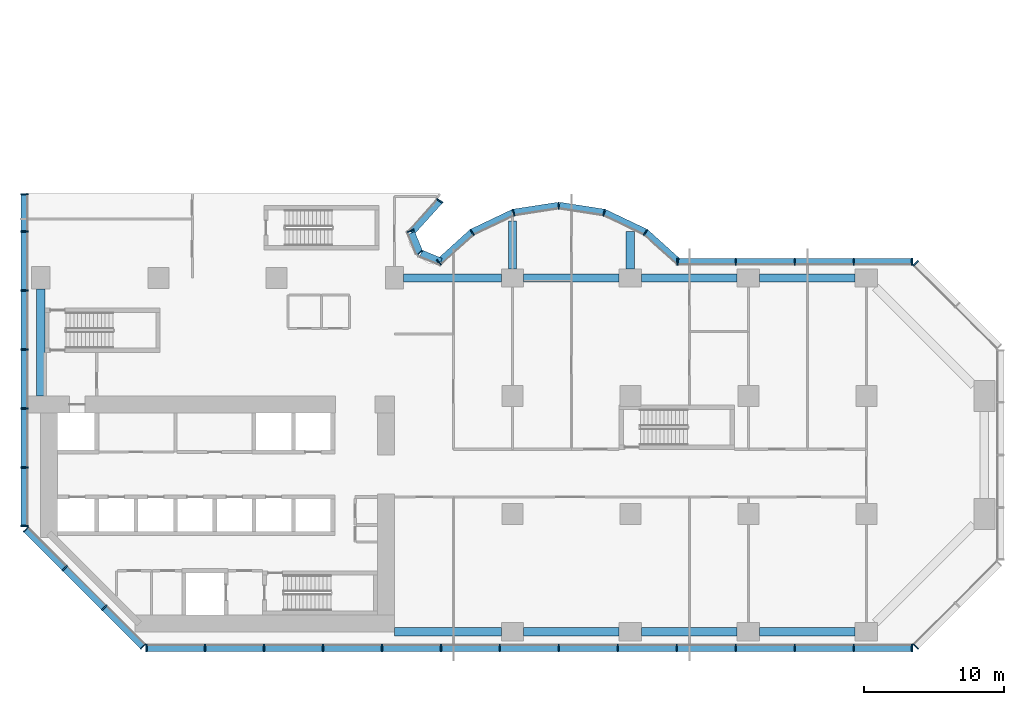
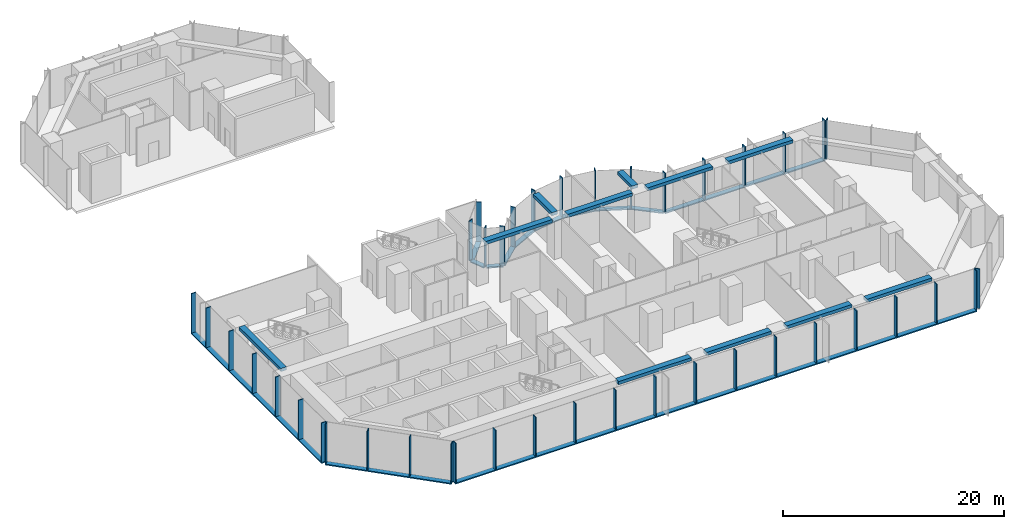
# One storey, part 2 of 13: 54 members, 11 beams, 9 elements without a shape of their own.
"""IFC4 building model written with IfcOpenShell, lengths in metres."""

from ifc_helpers import new_model, si_unit, direction, frame, origin, origin_2d, place, context, subcontext, project, spatial, rectangle, extrude, material, material_profile, profile_set, type_object, element, aggregate, save


model = new_model("IFC4")

# Units and contexts
model_context = context("Model", 3, precision=1e-05, world=origin(), true_north=direction((0.0, 1.0)))
body_context = subcontext(model_context, "Body", "Model", "MODEL_VIEW")
ifc_project = project(units=[si_unit("LENGTHUNIT", "METRE"), si_unit("AREAUNIT", "SQUARE_METRE"), si_unit("VOLUMEUNIT", "CUBIC_METRE"), si_unit("PLANEANGLEUNIT", "RADIAN"), si_unit("MASSUNIT", "GRAM", prefix="KILO")], contexts=[model_context])

# Site, building, storey
site_placement = place(None, origin())
site = spatial("IfcSite", under=ifc_project, at=site_placement, CompositionType="ELEMENT")
building_placement = place(site_placement, origin())
building = spatial("IfcBuilding", under=site, at=building_placement, Name="Brevane Broadcast Tower", CompositionType="ELEMENT")
storey_placement = place(building_placement, frame((0.0, 0.0, 32.0)))
storey = spatial("IfcBuildingStorey", under=building, at=storey_placement, Name="L05", CompositionType="ELEMENT", Elevation=32.0)

# Curtain wall, members
ifc_material_1 = material(Name="Aluminium 6063-T6 bronze anodised", Category="aluminium")
curtain_wall_type = type_object("IfcCurtainWallType", Name="CW-2 curtain wall", PredefinedType="NOTDEFINED", material=ifc_material_1)
curtain_wall_1_placement = place(storey_placement, origin())
curtain_wall_1 = element("IfcCurtainWall", 1, at=curtain_wall_1_placement, inside=storey, type_object=curtain_wall_type, Name="CW-2 podium base unit L05 south face", PredefinedType="NOTDEFINED")
ifc_material_profile_1 = material_profile(ifc_material_1, rectangle(XDim=0.5, YDim=0.090087890625, at=origin_2d()), Name="RECT 90x500")
ifc_profile_set_1 = profile_set([ifc_material_profile_1], Name="Aluminium 6063-T6 bronze anodised")
member_type_1 = type_object("IfcMemberType", Name="CW-2 mullion 90x500", PredefinedType="MULLION", material=ifc_profile_set_1)
member_1_placement = place(storey_placement, frame((7.544921875, -1.14990234375, -0.1298828125), z_axis=(0.0, 0.0, 1.0), x_axis=(0.0, 1.0, 0.0)))
member_1 = element("IfcMember", 2, at=member_1_placement, type_object=member_type_1, Name="CW-2 mullion", PredefinedType="MULLION", context=body_context, shape_type="SweptSolid", body=[
    extrude(rectangle(XDim=0.5, YDim=0.090087890625, at=origin_2d()), origin(), (0.0, 0.0, 1.0), 4.3798828125),
])
member_2_placement = place(storey_placement, frame((11.699951171875, -1.14990234375, -0.1298828125), z_axis=(0.0, 0.0, 1.0), x_axis=(0.0, 1.0, 0.0)))
member_2 = element("IfcMember", 3, at=member_2_placement, type_object=member_type_1, Name="CW-2 mullion", PredefinedType="MULLION", context=body_context, shape_type="SweptSolid", body=[
    extrude(rectangle(XDim=0.5, YDim=0.090087890625, at=origin_2d()), origin(), (0.0, 0.0, 1.0), 4.3798828125),
])
member_3_placement = place(storey_placement, frame((15.89990234375, -1.14990234375, -0.1298828125), z_axis=(0.0, 0.0, 1.0), x_axis=(0.0, 1.0, 0.0)))
member_3 = element("IfcMember", 4, at=member_3_placement, type_object=member_type_1, Name="CW-2 mullion", PredefinedType="MULLION", context=body_context, shape_type="SweptSolid", body=[
    extrude(rectangle(XDim=0.5, YDim=0.090087890625, at=origin_2d()), origin(), (0.0, 0.0, 1.0), 4.3798828125),
])
member_4_placement = place(storey_placement, frame((20.10009765625, -1.14990234375, -0.1298828125), z_axis=(0.0, 0.0, 1.0), x_axis=(0.0, 1.0, 0.0)))
member_4 = element("IfcMember", 5, at=member_4_placement, type_object=member_type_1, Name="CW-2 mullion", PredefinedType="MULLION", context=body_context, shape_type="SweptSolid", body=[
    extrude(rectangle(XDim=0.5, YDim=0.090087890625, at=origin_2d()), origin(), (0.0, 0.0, 1.0), 4.3798828125),
])
member_5_placement = place(storey_placement, frame((24.300048828125, -1.14990234375, -0.1298828125), z_axis=(0.0, 0.0, 1.0), x_axis=(0.0, 1.0, 0.0)))
member_5 = element("IfcMember", 6, at=member_5_placement, type_object=member_type_1, Name="CW-2 mullion", PredefinedType="MULLION", context=body_context, shape_type="SweptSolid", body=[
    extrude(rectangle(XDim=0.5, YDim=0.090087890625, at=origin_2d()), origin(), (0.0, 0.0, 1.0), 4.3798828125),
])
member_6_placement = place(storey_placement, frame((28.5, -1.14990234375, -0.1298828125), z_axis=(0.0, 0.0, 1.0), x_axis=(0.0, 1.0, 0.0)))
member_6 = element("IfcMember", 7, at=member_6_placement, type_object=member_type_1, Name="CW-2 mullion", PredefinedType="MULLION", context=body_context, shape_type="SweptSolid", body=[
    extrude(rectangle(XDim=0.5, YDim=0.090087890625, at=origin_2d()), origin(), (0.0, 0.0, 1.0), 4.3798828125),
])
member_7_placement = place(storey_placement, frame((32.699951171875, -1.14990234375, -0.1298828125), z_axis=(0.0, 0.0, 1.0), x_axis=(0.0, 1.0, 0.0)))
member_7 = element("IfcMember", 8, at=member_7_placement, type_object=member_type_1, Name="CW-2 mullion", PredefinedType="MULLION", context=body_context, shape_type="SweptSolid", body=[
    extrude(rectangle(XDim=0.5, YDim=0.090087890625, at=origin_2d()), origin(), (0.0, 0.0, 1.0), 4.3798828125),
])
member_8_placement = place(storey_placement, frame((36.89990234375, -1.14990234375, -0.1298828125), z_axis=(0.0, 0.0, 1.0), x_axis=(0.0, 1.0, 0.0)))
member_8 = element("IfcMember", 9, at=member_8_placement, type_object=member_type_1, Name="CW-2 mullion", PredefinedType="MULLION", context=body_context, shape_type="SweptSolid", body=[
    extrude(rectangle(XDim=0.5, YDim=0.090087890625, at=origin_2d()), origin(), (0.0, 0.0, 1.0), 4.3798828125),
])
member_9_placement = place(storey_placement, frame((41.10009765625, -1.14990234375, -0.1298828125), z_axis=(0.0, 0.0, 1.0), x_axis=(0.0, 1.0, 0.0)))
member_9 = element("IfcMember", 10, at=member_9_placement, type_object=member_type_1, Name="CW-2 mullion", PredefinedType="MULLION", context=body_context, shape_type="SweptSolid", body=[
    extrude(rectangle(XDim=0.5, YDim=0.090087890625, at=origin_2d()), origin(), (0.0, 0.0, 1.0), 4.3798828125),
])
member_10_placement = place(storey_placement, frame((45.300048828125, -1.14990234375, -0.1298828125), z_axis=(0.0, 0.0, 1.0), x_axis=(0.0, 1.0, 0.0)))
member_10 = element("IfcMember", 11, at=member_10_placement, type_object=member_type_1, Name="CW-2 mullion", PredefinedType="MULLION", context=body_context, shape_type="SweptSolid", body=[
    extrude(rectangle(XDim=0.5, YDim=0.090087890625, at=origin_2d()), origin(), (0.0, 0.0, 1.0), 4.3798828125),
])
member_11_placement = place(storey_placement, frame((49.5, -1.14990234375, -0.1298828125), z_axis=(0.0, 0.0, 1.0), x_axis=(0.0, 1.0, 0.0)))
member_11 = element("IfcMember", 12, at=member_11_placement, type_object=member_type_1, Name="CW-2 mullion", PredefinedType="MULLION", context=body_context, shape_type="SweptSolid", body=[
    extrude(rectangle(XDim=0.5, YDim=0.090087890625, at=origin_2d()), origin(), (0.0, 0.0, 1.0), 4.3798828125),
])
member_12_placement = place(storey_placement, frame((53.699951171875, -1.14990234375, -0.1298828125), z_axis=(0.0, 0.0, 1.0), x_axis=(0.0, 1.0, 0.0)))
member_12 = element("IfcMember", 13, at=member_12_placement, type_object=member_type_1, Name="CW-2 mullion", PredefinedType="MULLION", context=body_context, shape_type="SweptSolid", body=[
    extrude(rectangle(XDim=0.5, YDim=0.090087890625, at=origin_2d()), origin(), (0.0, 0.0, 1.0), 4.3798828125),
])
member_13_placement = place(storey_placement, frame((57.89990234375, -1.14990234375, -0.1298828125), z_axis=(0.0, 0.0, 1.0), x_axis=(0.0, 1.0, 0.0)))
member_13 = element("IfcMember", 14, at=member_13_placement, type_object=member_type_1, Name="CW-2 mullion", PredefinedType="MULLION", context=body_context, shape_type="SweptSolid", body=[
    extrude(rectangle(XDim=0.5, YDim=0.090087890625, at=origin_2d()), origin(), (0.0, 0.0, 1.0), 4.3798828125),
])
member_14_placement = place(storey_placement, frame((62.054931640625, -1.14990234375, -0.1298828125), z_axis=(0.0, 0.0, 1.0), x_axis=(0.0, 1.0, 0.0)))
member_14 = element("IfcMember", 15, at=member_14_placement, type_object=member_type_1, Name="CW-2 mullion", PredefinedType="MULLION", context=body_context, shape_type="SweptSolid", body=[
    extrude(rectangle(XDim=0.5, YDim=0.090087890625, at=origin_2d()), origin(), (0.0, 0.0, 1.0), 4.3798828125),
])

# Curtain wall, member
curtain_wall_2_placement = place(storey_placement, origin())
curtain_wall_2 = element("IfcCurtainWall", 16, at=curtain_wall_2_placement, inside=storey, type_object=curtain_wall_type, Name="CW-2 podium base unit L05 south-east chamfer", PredefinedType="NOTDEFINED")
member_15_placement = place(storey_placement, frame((62.30859375, -1.044921875, -0.1298828125), z_axis=(0.0, 0.0, 1.0), x_axis=(-0.707106781187, 0.707106781187, 0.0)))
member_15 = element("IfcMember", 17, at=member_15_placement, type_object=member_type_1, Name="CW-2 mullion", PredefinedType="MULLION", context=body_context, shape_type="SweptSolid", body=[
    extrude(rectangle(XDim=0.5, YDim=0.090087890625, at=origin_2d()), origin(), (0.0, 0.0, 1.0), 4.3798828125),
])
aggregate(curtain_wall_2, [member_15])

curtain_wall_3_placement = place(storey_placement, origin())
curtain_wall_3 = element("IfcCurtainWall", 18, at=curtain_wall_3_placement, inside=storey, type_object=curtain_wall_type, Name="CW-2 podium base unit L05 north-east chamfer", PredefinedType="NOTDEFINED")
member_16_placement = place(storey_placement, frame((62.30859375, 26.244873046875, -0.1298828125), z_axis=(0.0, 0.0, 1.0), x_axis=(-0.707106781187, -0.707106781187, 0.0)))
member_16 = element("IfcMember", 19, at=member_16_placement, type_object=member_type_1, Name="CW-2 mullion", PredefinedType="MULLION", context=body_context, shape_type="SweptSolid", body=[
    extrude(rectangle(XDim=0.5, YDim=0.090087890625, at=origin_2d()), origin(), (0.0, 0.0, 1.0), 4.3798828125),
])
aggregate(curtain_wall_3, [member_16])

# Curtain wall, members
curtain_wall_4_placement = place(storey_placement, origin())
curtain_wall_4 = element("IfcCurtainWall", 20, at=curtain_wall_4_placement, inside=storey, type_object=curtain_wall_type, Name="CW-2 podium base unit L05 east arm north face", PredefinedType="NOTDEFINED")
member_17_placement = place(storey_placement, frame((62.054931640625, 26.35009765625, -0.1298828125), z_axis=(0.0, 0.0, 1.0), x_axis=(0.0, -1.0, 0.0)))
member_17 = element("IfcMember", 21, at=member_17_placement, type_object=member_type_1, Name="CW-2 mullion", PredefinedType="MULLION", context=body_context, shape_type="SweptSolid", body=[
    extrude(rectangle(XDim=0.5, YDim=0.090087890625, at=origin_2d()), origin(), (0.0, 0.0, 1.0), 4.3798828125),
])
member_18_placement = place(storey_placement, frame((57.89990234375, 26.35009765625, -0.1298828125), z_axis=(0.0, 0.0, 1.0), x_axis=(0.0, -1.0, 0.0)))
member_18 = element("IfcMember", 22, at=member_18_placement, type_object=member_type_1, Name="CW-2 mullion", PredefinedType="MULLION", context=body_context, shape_type="SweptSolid", body=[
    extrude(rectangle(XDim=0.5, YDim=0.090087890625, at=origin_2d()), origin(), (0.0, 0.0, 1.0), 4.3798828125),
])
member_19_placement = place(storey_placement, frame((53.699951171875, 26.35009765625, -0.1298828125), z_axis=(0.0, 0.0, 1.0), x_axis=(0.0, -1.0, 0.0)))
member_19 = element("IfcMember", 23, at=member_19_placement, type_object=member_type_1, Name="CW-2 mullion", PredefinedType="MULLION", context=body_context, shape_type="SweptSolid", body=[
    extrude(rectangle(XDim=0.5, YDim=0.090087890625, at=origin_2d()), origin(), (0.0, 0.0, 1.0), 4.3798828125),
])
member_20_placement = place(storey_placement, frame((49.5, 26.35009765625, -0.1298828125), z_axis=(0.0, 0.0, 1.0), x_axis=(0.0, -1.0, 0.0)))
member_20 = element("IfcMember", 24, at=member_20_placement, type_object=member_type_1, Name="CW-2 mullion", PredefinedType="MULLION", context=body_context, shape_type="SweptSolid", body=[
    extrude(rectangle(XDim=0.5, YDim=0.090087890625, at=origin_2d()), origin(), (0.0, 0.0, 1.0), 4.3798828125),
])
member_21_placement = place(storey_placement, frame((45.344970703125, 26.35009765625, -0.1298828125), z_axis=(0.0, 0.0, 1.0), x_axis=(0.0, -1.0, 0.0)))
member_21 = element("IfcMember", 25, at=member_21_placement, type_object=member_type_1, Name="CW-2 mullion", PredefinedType="MULLION", context=body_context, shape_type="SweptSolid", body=[
    extrude(rectangle(XDim=0.5, YDim=0.090087890625, at=origin_2d()), origin(), (0.0, 0.0, 1.0), 4.3798828125),
])

curtain_wall_5_placement = place(storey_placement, origin())
curtain_wall_5 = element("IfcCurtainWall", 26, at=curtain_wall_5_placement, inside=storey, type_object=curtain_wall_type, Name="CW-2 podium base unit L05 east bow", PredefinedType="NOTDEFINED")
member_22_placement = place(storey_placement, frame((43.0712890625, 28.447021484375, -0.1298828125), z_axis=(0.0, 0.0, 1.0), x_axis=(-0.555997481379, -0.831183975243, 0.0)))
member_22 = element("IfcMember", 27, at=member_22_placement, type_object=member_type_1, Name="CW-2 mullion", PredefinedType="MULLION", context=body_context, shape_type="SweptSolid", body=[
    extrude(rectangle(XDim=0.5, YDim=0.090087890625, at=origin_2d()), origin(), (0.0, 0.0, 1.0), 4.3798828125),
])
member_23_placement = place(storey_placement, frame((40.126953125, 29.84912109375, -0.1298828125), z_axis=(0.0, 0.0, 1.0), x_axis=(-0.294828346832, -0.955550232015, 0.0)))
member_23 = element("IfcMember", 28, at=member_23_placement, type_object=member_type_1, Name="CW-2 mullion", PredefinedType="MULLION", context=body_context, shape_type="SweptSolid", body=[
    extrude(rectangle(XDim=0.5, YDim=0.090087890625, at=origin_2d()), origin(), (0.0, 0.0, 1.0), 4.3798828125),
])
member_24_placement = place(storey_placement, frame((36.89990234375, 30.35009765625, -0.1298828125), z_axis=(0.0, 0.0, 1.0), x_axis=(0.0, -1.0, 0.0)))
member_24 = element("IfcMember", 29, at=member_24_placement, type_object=member_type_1, Name="CW-2 mullion", PredefinedType="MULLION", context=body_context, shape_type="SweptSolid", body=[
    extrude(rectangle(XDim=0.5, YDim=0.090087890625, at=origin_2d()), origin(), (0.0, 0.0, 1.0), 4.3798828125),
])
member_25_placement = place(storey_placement, frame((33.673095703125, 29.84912109375, -0.1298828125), z_axis=(0.0, 0.0, 1.0), x_axis=(0.294828346832, -0.955550232015, 0.0)))
member_25 = element("IfcMember", 30, at=member_25_placement, type_object=member_type_1, Name="CW-2 mullion", PredefinedType="MULLION", context=body_context, shape_type="SweptSolid", body=[
    extrude(rectangle(XDim=0.5, YDim=0.090087890625, at=origin_2d()), origin(), (0.0, 0.0, 1.0), 4.3798828125),
])
member_26_placement = place(storey_placement, frame((30.728759765625, 28.447021484375, -0.1298828125), z_axis=(0.0, 0.0, 1.0), x_axis=(0.555997481379, -0.831183975243, 0.0)))
member_26 = element("IfcMember", 31, at=member_26_placement, type_object=member_type_1, Name="CW-2 mullion", PredefinedType="MULLION", context=body_context, shape_type="SweptSolid", body=[
    extrude(rectangle(XDim=0.5, YDim=0.090087890625, at=origin_2d()), origin(), (0.0, 0.0, 1.0), 4.3798828125),
])
member_27_placement = place(storey_placement, frame((28.36572265625, 26.315673828125, -0.1298828125), z_axis=(0.0, 0.0, 1.0), x_axis=(0.670368934758, -0.742027958578, 0.0)))
member_27 = element("IfcMember", 32, at=member_27_placement, type_object=member_type_1, Name="CW-2 mullion", PredefinedType="MULLION", context=body_context, shape_type="SweptSolid", body=[
    extrude(rectangle(XDim=0.5, YDim=0.090087890625, at=origin_2d()), origin(), (0.0, 0.0, 1.0), 4.3798828125),
])

curtain_wall_6_placement = place(storey_placement, origin())
curtain_wall_6 = element("IfcCurtainWall", 33, at=curtain_wall_6_placement, inside=storey, type_object=curtain_wall_type, Name="CW-2 podium base unit L05 inner corner", PredefinedType="NOTDEFINED")
member_28_placement = place(storey_placement, frame((26.979736328125, 26.979736328125, -0.1298828125), z_axis=(0.0, 0.0, 1.0), x_axis=(-0.707106781187, -0.707106781187, 0.0)))
member_28 = element("IfcMember", 34, at=member_28_placement, type_object=member_type_1, Name="CW-2 mullion", PredefinedType="MULLION", context=body_context, shape_type="SweptSolid", body=[
    extrude(rectangle(XDim=0.5, YDim=0.090087890625, at=origin_2d()), origin(), (0.0, 0.0, 1.0), 4.3798828125),
])
member_29_placement = place(storey_placement, frame((26.34814453125, 28.55419921875, -0.1298828125), z_axis=(0.0, 0.0, 1.0), x_axis=(-0.923879457699, -0.382683612978, 0.0)))
member_29 = element("IfcMember", 35, at=member_29_placement, type_object=member_type_1, Name="CW-2 mullion", PredefinedType="MULLION", context=body_context, shape_type="SweptSolid", body=[
    extrude(rectangle(XDim=0.5, YDim=0.090087890625, at=origin_2d()), origin(), (0.0, 0.0, 1.0), 4.3798828125),
])

# Curtain wall, member
curtain_wall_7_placement = place(storey_placement, origin())
curtain_wall_7 = element("IfcCurtainWall", 36, at=curtain_wall_7_placement, inside=storey, type_object=curtain_wall_type, Name="CW-2 podium base unit L05 north bow", PredefinedType="NOTDEFINED")
member_30_placement = place(storey_placement, frame((28.421875, 30.69140625, -0.1298828125), z_axis=(0.0, 0.0, 1.0), x_axis=(-0.831183975243, 0.555997481379, 0.0)))
member_30 = element("IfcMember", 37, at=member_30_placement, type_object=member_type_1, Name="CW-2 mullion", PredefinedType="MULLION", context=body_context, shape_type="SweptSolid", body=[
    extrude(rectangle(XDim=0.5, YDim=0.090087890625, at=origin_2d()), origin(), (0.0, 0.0, 1.0), 4.3798828125),
])

# Curtain wall, members
curtain_wall_8_placement = place(storey_placement, origin())
curtain_wall_8 = element("IfcCurtainWall", 38, at=curtain_wall_8_placement, inside=storey, type_object=curtain_wall_type, Name="CW-2 podium base unit L05 west face", PredefinedType="NOTDEFINED")
member_31_placement = place(storey_placement, frame((-1.14990234375, 31.155029296875, -0.1298828125), z_axis=(0.0, 0.0, 1.0), x_axis=(1.0, 0.0, 0.0)))
member_31 = element("IfcMember", 39, at=member_31_placement, type_object=member_type_1, Name="CW-2 mullion", PredefinedType="MULLION", context=body_context, shape_type="SweptSolid", body=[
    extrude(rectangle(XDim=0.5, YDim=0.090087890625, at=origin_2d()), origin(), (0.0, 0.0, 1.0), 4.3798828125),
])
member_32_placement = place(storey_placement, frame((-1.14990234375, 28.5, -0.1298828125), z_axis=(0.0, 0.0, 1.0), x_axis=(1.0, 0.0, 0.0)))
member_32 = element("IfcMember", 40, at=member_32_placement, type_object=member_type_1, Name="CW-2 mullion", PredefinedType="MULLION", context=body_context, shape_type="SweptSolid", body=[
    extrude(rectangle(XDim=0.5, YDim=0.090087890625, at=origin_2d()), origin(), (0.0, 0.0, 1.0), 4.3798828125),
])
member_33_placement = place(storey_placement, frame((-1.14990234375, 24.300048828125, -0.1298828125), z_axis=(0.0, 0.0, 1.0), x_axis=(1.0, 0.0, 0.0)))
member_33 = element("IfcMember", 41, at=member_33_placement, type_object=member_type_1, Name="CW-2 mullion", PredefinedType="MULLION", context=body_context, shape_type="SweptSolid", body=[
    extrude(rectangle(XDim=0.5, YDim=0.090087890625, at=origin_2d()), origin(), (0.0, 0.0, 1.0), 4.3798828125),
])
member_34_placement = place(storey_placement, frame((-1.14990234375, 20.10009765625, -0.1298828125), z_axis=(0.0, 0.0, 1.0), x_axis=(1.0, 0.0, 0.0)))
member_34 = element("IfcMember", 42, at=member_34_placement, type_object=member_type_1, Name="CW-2 mullion", PredefinedType="MULLION", context=body_context, shape_type="SweptSolid", body=[
    extrude(rectangle(XDim=0.5, YDim=0.090087890625, at=origin_2d()), origin(), (0.0, 0.0, 1.0), 4.3798828125),
])
member_35_placement = place(storey_placement, frame((-1.14990234375, 15.89990234375, -0.1298828125), z_axis=(0.0, 0.0, 1.0), x_axis=(1.0, 0.0, 0.0)))
member_35 = element("IfcMember", 43, at=member_35_placement, type_object=member_type_1, Name="CW-2 mullion", PredefinedType="MULLION", context=body_context, shape_type="SweptSolid", body=[
    extrude(rectangle(XDim=0.5, YDim=0.090087890625, at=origin_2d()), origin(), (0.0, 0.0, 1.0), 4.3798828125),
])
member_36_placement = place(storey_placement, frame((-1.14990234375, 11.699951171875, -0.1298828125), z_axis=(0.0, 0.0, 1.0), x_axis=(1.0, 0.0, 0.0)))
member_36 = element("IfcMember", 44, at=member_36_placement, type_object=member_type_1, Name="CW-2 mullion", PredefinedType="MULLION", context=body_context, shape_type="SweptSolid", body=[
    extrude(rectangle(XDim=0.5, YDim=0.090087890625, at=origin_2d()), origin(), (0.0, 0.0, 1.0), 4.3798828125),
])
member_37_placement = place(storey_placement, frame((-1.14990234375, 7.544921875, -0.1298828125), z_axis=(0.0, 0.0, 1.0), x_axis=(1.0, 0.0, 0.0)))
member_37 = element("IfcMember", 45, at=member_37_placement, type_object=member_type_1, Name="CW-2 mullion", PredefinedType="MULLION", context=body_context, shape_type="SweptSolid", body=[
    extrude(rectangle(XDim=0.5, YDim=0.090087890625, at=origin_2d()), origin(), (0.0, 0.0, 1.0), 4.3798828125),
])

curtain_wall_9_placement = place(storey_placement, origin())
curtain_wall_9 = element("IfcCurtainWall", 46, at=curtain_wall_9_placement, inside=storey, type_object=curtain_wall_type, Name="CW-2 podium base unit L05 south-west chamfer", PredefinedType="NOTDEFINED")
member_38_placement = place(storey_placement, frame((-1.044921875, 7.29150390625, -0.1298828125), z_axis=(0.0, 0.0, 1.0), x_axis=(0.707106781187, 0.707106781187, 0.0)))
member_38 = element("IfcMember", 47, at=member_38_placement, type_object=member_type_1, Name="CW-2 mullion", PredefinedType="MULLION", context=body_context, shape_type="SweptSolid", body=[
    extrude(rectangle(XDim=0.5, YDim=0.090087890625, at=origin_2d()), origin(), (0.0, 0.0, 1.0), 4.3798828125),
])
member_39_placement = place(storey_placement, frame((1.72314453125, 4.523193359375, -0.1298828125), z_axis=(0.0, 0.0, 1.0), x_axis=(0.707106781187, 0.707106781187, 0.0)))
member_39 = element("IfcMember", 48, at=member_39_placement, type_object=member_type_1, Name="CW-2 mullion", PredefinedType="MULLION", context=body_context, shape_type="SweptSolid", body=[
    extrude(rectangle(XDim=0.5, YDim=0.090087890625, at=origin_2d()), origin(), (0.0, 0.0, 1.0), 4.3798828125),
])
member_40_placement = place(storey_placement, frame((4.523193359375, 1.72314453125, -0.1298828125), z_axis=(0.0, 0.0, 1.0), x_axis=(0.707106781187, 0.707106781187, 0.0)))
member_40 = element("IfcMember", 49, at=member_40_placement, type_object=member_type_1, Name="CW-2 mullion", PredefinedType="MULLION", context=body_context, shape_type="SweptSolid", body=[
    extrude(rectangle(XDim=0.5, YDim=0.090087890625, at=origin_2d()), origin(), (0.0, 0.0, 1.0), 4.3798828125),
])
member_41_placement = place(storey_placement, frame((7.29150390625, -1.044921875, -0.1298828125), z_axis=(0.0, 0.0, 1.0), x_axis=(0.707106781187, 0.707106781187, 0.0)))
member_41 = element("IfcMember", 50, at=member_41_placement, type_object=member_type_1, Name="CW-2 mullion", PredefinedType="MULLION", context=body_context, shape_type="SweptSolid", body=[
    extrude(rectangle(XDim=0.5, YDim=0.090087890625, at=origin_2d()), origin(), (0.0, 0.0, 1.0), 4.3798828125),
])

# Member
ifc_material_profile_2 = material_profile(ifc_material_1, rectangle(XDim=0.5, YDim=0.1201171875, at=origin_2d()), Name="RECT 120x500")
ifc_profile_set_2 = profile_set([ifc_material_profile_2], Name="Aluminium 6063-T6 bronze anodised")
member_type_2 = type_object("IfcMemberType", Name="CW-2 transom 120x500", PredefinedType="USERDEFINED", material=ifc_profile_set_2)
member_42_placement = place(storey_placement, frame((7.5, -1.14990234375, -0.18994140625), z_axis=(1.0, 0.0, 0.0), x_axis=(0.0, 1.0, 0.0)))
member_42 = element("IfcMember", 51, at=member_42_placement, type_object=member_type_2, Name="CW-2 transom", ObjectType="TRANSOM", PredefinedType="USERDEFINED", context=body_context, shape_type="SweptSolid", body=[
    extrude(rectangle(XDim=0.5, YDim=0.1201171875, at=origin_2d()), origin(), (0.0, 0.0, 1.0), 54.60009765625),
])

aggregate(curtain_wall_1, [member_1, member_2, member_3, member_4, member_5, member_6, member_7, member_8, member_9, member_10, member_11, member_12, member_13, member_14, member_42])

member_43_placement = place(storey_placement, frame((62.10009765625, 26.35009765625, -0.18994140625), z_axis=(-1.0, 0.0, 0.0), x_axis=(0.0, -1.0, 0.0)))
member_43 = element("IfcMember", 52, at=member_43_placement, type_object=member_type_2, Name="CW-2 transom", ObjectType="TRANSOM", PredefinedType="USERDEFINED", context=body_context, shape_type="SweptSolid", body=[
    extrude(rectangle(XDim=0.5, YDim=0.1201171875, at=origin_2d()), origin(), (0.0, 0.0, 1.0), 16.800048828125),
])

aggregate(curtain_wall_4, [member_17, member_18, member_19, member_20, member_21, member_43])

member_44_placement = place(storey_placement, frame((45.349365234375, 26.39208984375, -0.18994140625), z_axis=(-0.742007303722, 0.670391796805, 0.0), x_axis=(-0.670391796805, -0.742007303722, 0.0)))
member_44 = element("IfcMember", 53, at=member_44_placement, type_object=member_type_2, Name="CW-2 transom", ObjectType="TRANSOM", PredefinedType="USERDEFINED", context=body_context, shape_type="SweptSolid", body=[
    extrude(rectangle(XDim=0.5, YDim=0.1201171875, at=origin_2d()), origin(), (0.0, 0.0, 1.0), 3.040771484375),
])

member_45_placement = place(storey_placement, frame((43.039794921875, 28.46484375, -0.18994140625), z_axis=(-0.902852027894, 0.429951410892, 0.0), x_axis=(-0.429951410892, -0.902852027894, 0.0)))
member_45 = element("IfcMember", 54, at=member_45_placement, type_object=member_type_2, Name="CW-2 transom", ObjectType="TRANSOM", PredefinedType="USERDEFINED", context=body_context, shape_type="SweptSolid", body=[
    extrude(rectangle(XDim=0.5, YDim=0.1201171875, at=origin_2d()), origin(), (0.0, 0.0, 1.0), 3.18896484375),
])

member_46_placement = place(storey_placement, frame((40.100341796875, 29.855712890625, -0.18994140625), z_axis=(-0.988151305523, 0.153482889576, 0.0), x_axis=(-0.153482889576, -0.988151305523, 0.0)))
member_46 = element("IfcMember", 55, at=member_46_placement, type_object=member_type_2, Name="CW-2 transom", ObjectType="TRANSOM", PredefinedType="USERDEFINED", context=body_context, shape_type="SweptSolid", body=[
    extrude(rectangle(XDim=0.5, YDim=0.1201171875, at=origin_2d()), origin(), (0.0, 0.0, 1.0), 3.19091796875),
])

member_47_placement = place(storey_placement, frame((36.852783203125, 30.345458984375, -0.18994140625), z_axis=(-0.98815310771, -0.153471286317, 0.0), x_axis=(0.153471286317, -0.98815310771, 0.0)))
member_47 = element("IfcMember", 56, at=member_47_placement, type_object=member_type_2, Name="CW-2 transom", ObjectType="TRANSOM", PredefinedType="USERDEFINED", context=body_context, shape_type="SweptSolid", body=[
    extrude(rectangle(XDim=0.5, YDim=0.1201171875, at=origin_2d()), origin(), (0.0, 0.0, 1.0), 3.191162109375),
])

member_48_placement = place(storey_placement, frame((33.639404296875, 29.8359375, -0.18994140625), z_axis=(-0.902852027894, -0.429951410892, 0.0), x_axis=(0.429951410892, -0.902852027894, 0.0)))
member_48 = element("IfcMember", 57, at=member_48_placement, type_object=member_type_2, Name="CW-2 transom", ObjectType="TRANSOM", PredefinedType="USERDEFINED", context=body_context, shape_type="SweptSolid", body=[
    extrude(rectangle(XDim=0.5, YDim=0.1201171875, at=origin_2d()), origin(), (0.0, 0.0, 1.0), 3.18896484375),
])

member_49_placement = place(storey_placement, frame((30.70703125, 28.4306640625, -0.18994140625), z_axis=(-0.742043383245, -0.670351860878, 0.0), x_axis=(0.670351860878, -0.742043383245, 0.0)))
member_49 = element("IfcMember", 58, at=member_49_placement, type_object=member_type_2, Name="CW-2 transom", ObjectType="TRANSOM", PredefinedType="USERDEFINED", context=body_context, shape_type="SweptSolid", body=[
    extrude(rectangle(XDim=0.5, YDim=0.1201171875, at=origin_2d()), origin(), (0.0, 0.0, 1.0), 3.041015625),
])

aggregate(curtain_wall_5, [member_22, member_23, member_24, member_25, member_26, member_27, member_44, member_45, member_46, member_47, member_48, member_49])

member_50_placement = place(storey_placement, frame((28.500244140625, 26.365234375, -0.18994140625), z_axis=(-0.923883243627, 0.382674472816, 0.0), x_axis=(-0.382674472816, -0.923883243627, 0.0)))
member_50 = element("IfcMember", 59, at=member_50_placement, type_object=member_type_2, Name="CW-2 transom", ObjectType="TRANSOM", PredefinedType="USERDEFINED", context=body_context, shape_type="SweptSolid", body=[
    extrude(rectangle(XDim=0.5, YDim=0.1201171875, at=origin_2d()), origin(), (0.0, 0.0, 1.0), 1.536865234375),
])

member_51_placement = place(storey_placement, frame((26.99072265625, 26.990234375, -0.18994140625), z_axis=(-0.382674472816, 0.923883243627, 0.0), x_axis=(-0.923883243627, -0.382674472816, 0.0)))
member_51 = element("IfcMember", 60, at=member_51_placement, type_object=member_type_2, Name="CW-2 transom", ObjectType="TRANSOM", PredefinedType="USERDEFINED", context=body_context, shape_type="SweptSolid", body=[
    extrude(rectangle(XDim=0.5, YDim=0.1201171875, at=origin_2d()), origin(), (0.0, 0.0, 1.0), 1.536865234375),
])

aggregate(curtain_wall_6, [member_28, member_29, member_50, member_51])

member_52_placement = place(storey_placement, frame((26.39208984375, 28.450439453125, -0.18994140625), z_axis=(0.670351860878, 0.742043383245, 0.0), x_axis=(-0.742043383245, 0.670351860878, 0.0)))
member_52 = element("IfcMember", 61, at=member_52_placement, type_object=member_type_2, Name="CW-2 transom", ObjectType="TRANSOM", PredefinedType="USERDEFINED", context=body_context, shape_type="SweptSolid", body=[
    extrude(rectangle(XDim=0.5, YDim=0.1201171875, at=origin_2d()), origin(), (0.0, 0.0, 1.0), 3.041015625),
])

aggregate(curtain_wall_7, [member_30, member_52])

member_53_placement = place(storey_placement, frame((-1.14990234375, 31.199951171875, -0.18994140625), z_axis=(0.0, -1.0, 0.0), x_axis=(1.0, 0.0, 0.0)))
member_53 = element("IfcMember", 62, at=member_53_placement, type_object=member_type_2, Name="CW-2 transom", ObjectType="TRANSOM", PredefinedType="USERDEFINED", context=body_context, shape_type="SweptSolid", body=[
    extrude(rectangle(XDim=0.5, YDim=0.1201171875, at=origin_2d()), origin(), (0.0, 0.0, 1.0), 23.699951171875),
])

aggregate(curtain_wall_8, [member_31, member_32, member_33, member_34, member_35, member_36, member_37, member_53])

member_54_placement = place(storey_placement, frame((-1.07666015625, 7.3232421875, -0.18994140625), z_axis=(0.707106781187, -0.707106781187, 0.0), x_axis=(0.707106781187, 0.707106781187, 0.0)))
member_54 = element("IfcMember", 63, at=member_54_placement, type_object=member_type_2, Name="CW-2 transom", ObjectType="TRANSOM", PredefinedType="USERDEFINED", context=body_context, shape_type="SweptSolid", body=[
    extrude(rectangle(XDim=0.5, YDim=0.1201171875, at=origin_2d()), origin(), (0.0, 0.0, 1.0), 11.879150390625),
])

aggregate(curtain_wall_9, [member_38, member_39, member_40, member_41, member_54])

# Beams
ifc_material_2 = material(Name="Concrete C40/50", Category="concrete")
ifc_material_profile_3 = material_profile(ifc_material_2, rectangle(XDim=0.60009765625, YDim=0.35009765625, at=origin_2d()), Name="RC 600x350")
ifc_profile_set_3 = profile_set([ifc_material_profile_3], Name="Concrete C40/50")
beam_type_1 = type_object("IfcBeamType", Name="RC BRACKET BEAM 600x350 C40/50", PredefinedType="BEAM", material=ifc_profile_set_3)
beam_1_placement = place(storey_placement, frame((33.60009765625, 25.85009765625, 4.074951171875), z_axis=(0.0, 1.0, 0.0), x_axis=(-1.0, 0.0, 0.0)))
element("IfcBeam", 64, at=beam_1_placement, inside=storey, type_object=beam_type_1, Name="EB2 L05-1", PredefinedType="BEAM", context=body_context, shape_type="SweptSolid", body=[
    extrude(rectangle(XDim=0.60009765625, YDim=0.35009765625, at=origin_2d()), origin(), (0.0, 0.0, 1.0), 3.411865234375),
])
beam_2_placement = place(storey_placement, frame((42.0, 25.85009765625, 4.074951171875), z_axis=(0.0, 1.0, 0.0), x_axis=(-1.0, 0.0, 0.0)))
element("IfcBeam", 65, at=beam_2_placement, inside=storey, type_object=beam_type_1, Name="EB2 L05-2", PredefinedType="BEAM", context=body_context, shape_type="SweptSolid", body=[
    extrude(rectangle(XDim=0.60009765625, YDim=0.35009765625, at=origin_2d()), origin(), (0.0, 0.0, 1.0), 2.661376953125),
])
ifc_material_profile_4 = material_profile(ifc_material_2, rectangle(XDim=0.60009765625, YDim=0.35009765625, at=origin_2d()), Name="RC 600x350")
ifc_profile_set_4 = profile_set([ifc_material_profile_4], Name="Concrete C40/50")
beam_type_2 = type_object("IfcBeamType", Name="RC SPANDREL BEAM 600x350 C40/50", PredefinedType="SPANDREL", material=ifc_profile_set_4)
beam_3_placement = place(storey_placement, frame((25.199951171875, 0.0, 4.074951171875), z_axis=(1.0, 0.0, 0.0), x_axis=(0.0, 1.0, 0.0)))
element("IfcBeam", 66, at=beam_3_placement, inside=storey, type_object=beam_type_2, Name="EB1 L05-1", PredefinedType="SPANDREL", context=body_context, shape_type="SweptSolid", body=[
    extrude(rectangle(XDim=0.60009765625, YDim=0.35009765625, at=origin_2d()), origin(), (0.0, 0.0, 1.0), 7.60009765625),
])
for number, where, z_axis, x_axis, name in (
    (67, (34.39990234375, 0.0, 4.074951171875), (1.0, 0.0, 0.0), (0.0, 1.0, 0.0), "EB1 L05-2"),
    (68, (42.800048828125, 0.0, 4.074951171875), (1.0, 0.0, 0.0), (0.0, 1.0, 0.0), "EB1 L05-3"),
    (69, (51.199951171875, 0.0, 4.074951171875), (1.0, 0.0, 0.0), (0.0, 1.0, 0.0), "EB1 L05-4"),
    (70, (58.0, 25.199951171875, 4.074951171875), (-1.0, 0.0, 0.0), (0.0, -1.0, 0.0), "EB1 L05-8"),
    (71, (49.60009765625, 25.199951171875, 4.074951171875), (-1.0, 0.0, 0.0), (0.0, -1.0, 0.0), "EB1 L05-9"),
    (72, (41.199951171875, 25.199951171875, 4.074951171875), (-1.0, 0.0, 0.0), (0.0, -1.0, 0.0), "EB1 L05-10"),
):
    element("IfcBeam", number, at=place(storey_placement, frame(where, z_axis=z_axis, x_axis=x_axis)), inside=storey, type_object=beam_type_2, Name=name, PredefinedType="SPANDREL", context=body_context, shape_type="SweptSolid", body=[
        extrude(rectangle(XDim=0.60009765625, YDim=0.35009765625, at=origin_2d()), origin(), (0.0, 0.0, 1.0), 6.800048828125),
    ])
beam_4_placement = place(storey_placement, frame((32.800048828125, 25.199951171875, 4.074951171875), z_axis=(-1.0, 0.0, 0.0), x_axis=(0.0, -1.0, 0.0)))
element("IfcBeam", 73, at=beam_4_placement, inside=storey, type_object=beam_type_2, Name="EB1 L05-11", PredefinedType="SPANDREL", context=body_context, shape_type="SweptSolid", body=[
    extrude(rectangle(XDim=0.60009765625, YDim=0.35009765625, at=origin_2d()), origin(), (0.0, 0.0, 1.0), 6.949951171875),
])
beam_5_placement = place(storey_placement, frame((0.0, 24.39990234375, 4.074951171875), z_axis=(0.0, -1.0, 0.0), x_axis=(1.0, 0.0, 0.0)))
element("IfcBeam", 74, at=beam_5_placement, inside=storey, type_object=beam_type_2, Name="EB1 L05-15", PredefinedType="SPANDREL", context=body_context, shape_type="SweptSolid", body=[
    extrude(rectangle(XDim=0.60009765625, YDim=0.35009765625, at=origin_2d()), origin(), (0.0, 0.0, 1.0), 7.599853515625),
])

save(model, "model.ifc")
